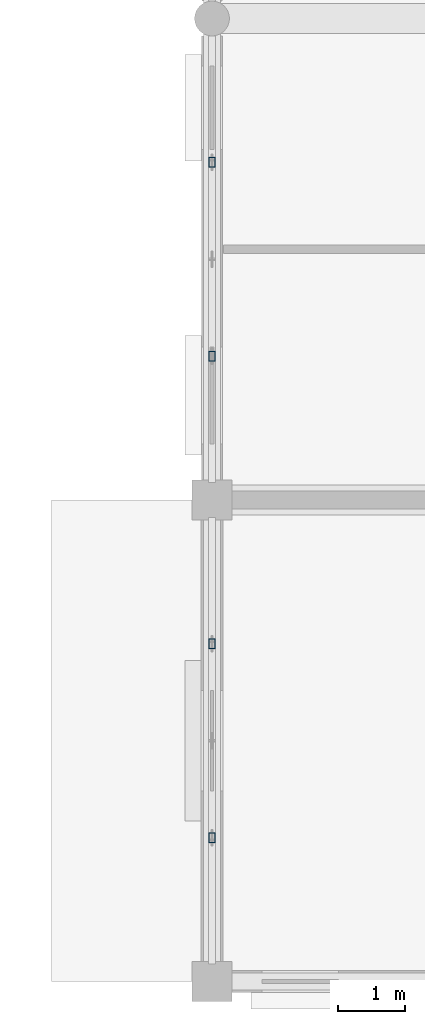
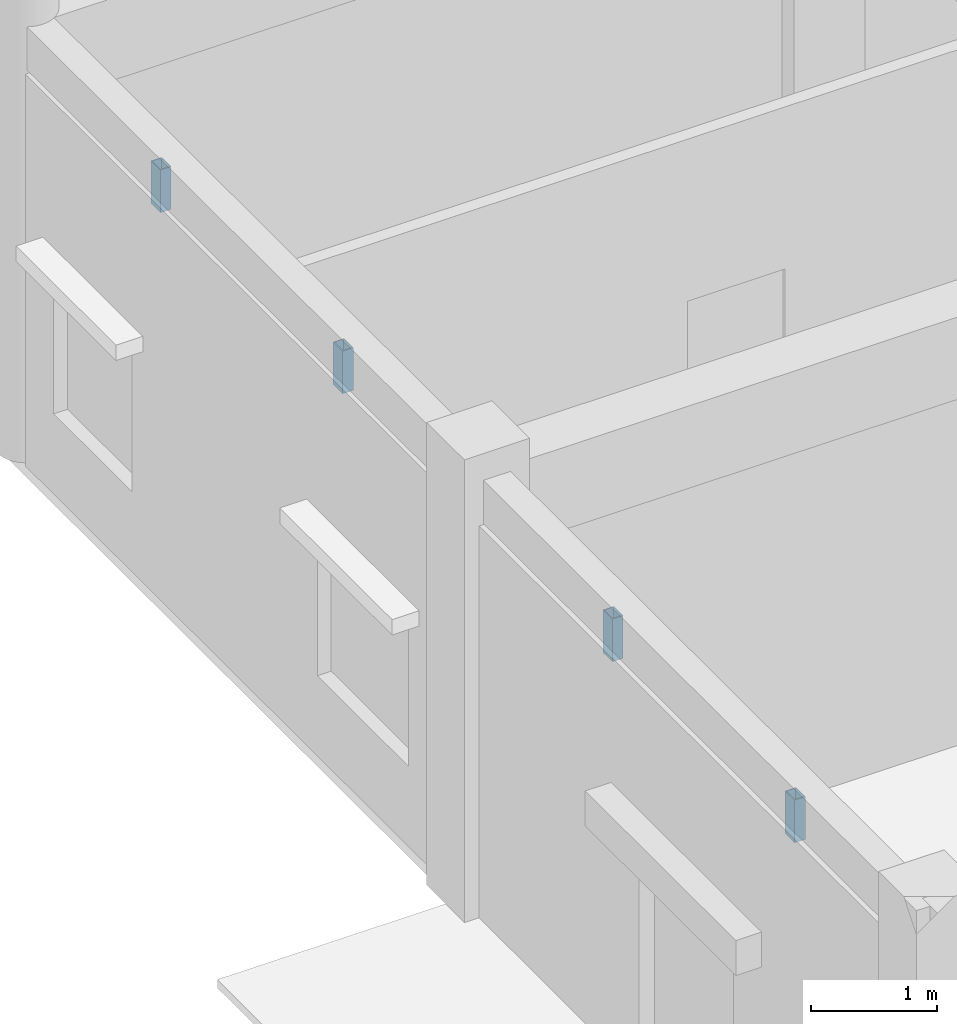
# One storey, part 49 of 138: 4 members.
"""IFC4 building model written with IfcOpenShell, lengths in metres."""

from ifc_helpers import new_model, si_unit, direction, frame, origin, origin_2d, place, context, subcontext, project, spatial, hollow_rectangle, extrude, material, material_profile, profile_set, type_object, element, save


model = new_model("IFC4")

# Units and contexts
model_context = context("Model", 3, precision=1e-05, world=origin(), true_north=direction((0.0, 1.0)))
body_context = subcontext(model_context, "Body", "Model", "MODEL_VIEW")
ifc_project = project(units=[si_unit("LENGTHUNIT", "METRE"), si_unit("AREAUNIT", "SQUARE_METRE"), si_unit("VOLUMEUNIT", "CUBIC_METRE"), si_unit("PLANEANGLEUNIT", "RADIAN"), si_unit("MASSUNIT", "GRAM", prefix="KILO"), si_unit("THERMODYNAMICTEMPERATUREUNIT", "KELVIN"), si_unit("POWERUNIT", "WATT")], contexts=[model_context])

# Site, building, storey
site_placement = place(None, origin())
site = spatial("IfcSite", under=ifc_project, at=site_placement, CompositionType="ELEMENT")
building_placement = place(site_placement, origin())
building = spatial("IfcBuilding", under=site, at=building_placement, Name="Tavuni Mirador Residences", CompositionType="ELEMENT")
storey_placement = place(building_placement, origin())
storey = spatial("IfcBuildingStorey", under=building, at=storey_placement, Name="L00", CompositionType="ELEMENT", Elevation=0.0)

# Members
ifc_material = material(Name="Structural steel S355", Category="steel")
ifc_material_profile = material_profile(ifc_material, hollow_rectangle(XDim=0.10009765625, YDim=0.14990234375, WallThickness=0.008056640625, at=origin_2d()), Name="RHS 150x100x8.0", Category="steel")
ifc_profile_set = profile_set([ifc_material_profile], Name="Structural steel S355")
member_type = type_object("IfcMemberType", Name="MT-BR-RHS150", PredefinedType="BRACE", material=ifc_profile_set)
for number, where, z_axis, x_axis, name in (
    (1, (90.0, 88.548095703125, 3.615478515625), (0.0, 0.0, 1.0), (1.0, 0.0, 0.0), "ARCH-BLKD-W-00-V1"),
    (2, (90.0, 91.451904296875, 3.615478515625), (0.0, 0.0, 1.0), (1.0, 0.0, 0.0), "ARCH-BLKD-W-00-V2"),
    (3, (90.0, 95.748046875, 3.615478515625), (0.0, 0.0, 1.0), (1.0, 0.0, 0.0), "ARCH-BLKD-W-01-V1"),
    (4, (90.0, 98.652099609375, 3.615478515625), (0.0, 0.0, 1.0), (1.0, 0.0, 0.0), "ARCH-BLKD-W-01-V2"),
):
    element("IfcMember", number, at=place(storey_placement, frame(where, z_axis=z_axis, x_axis=x_axis)), inside=storey, type_object=member_type, Name=name, PredefinedType="BRACE", context=body_context, shape_type="SweptSolid", body=[
        extrude(hollow_rectangle(XDim=0.10009765625, YDim=0.14990234375, WallThickness=0.008056640625, at=origin_2d()), origin(), (0.0, 0.0, 1.0), 0.41455078125),
    ])

save(model, "model.ifc")
